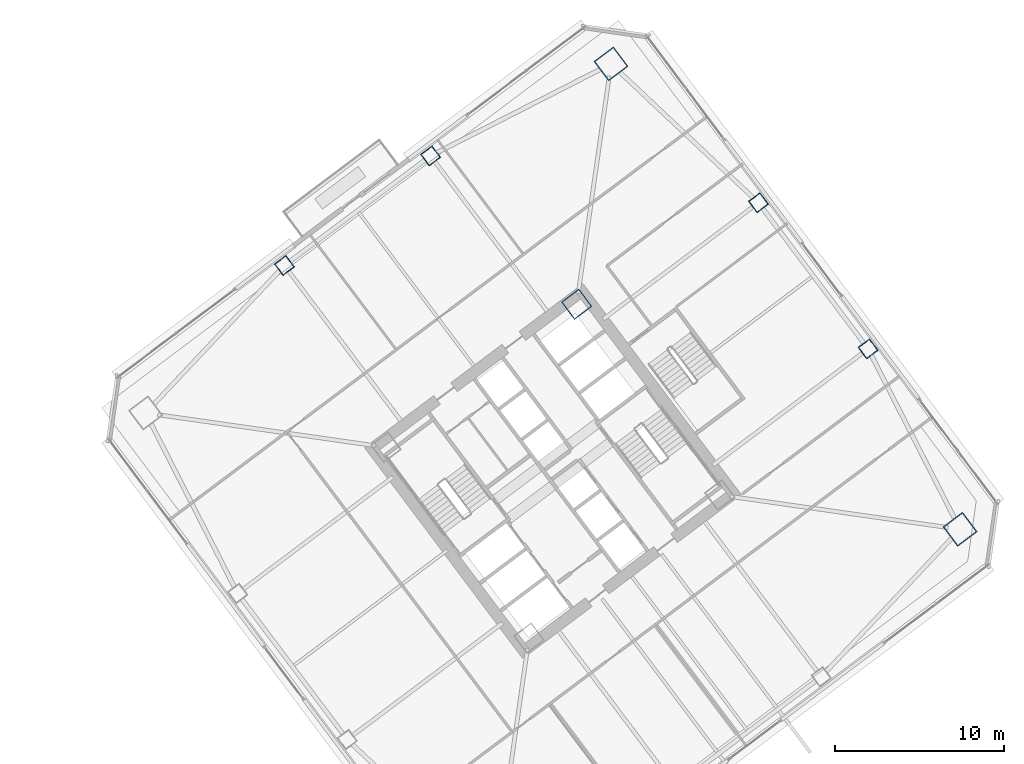
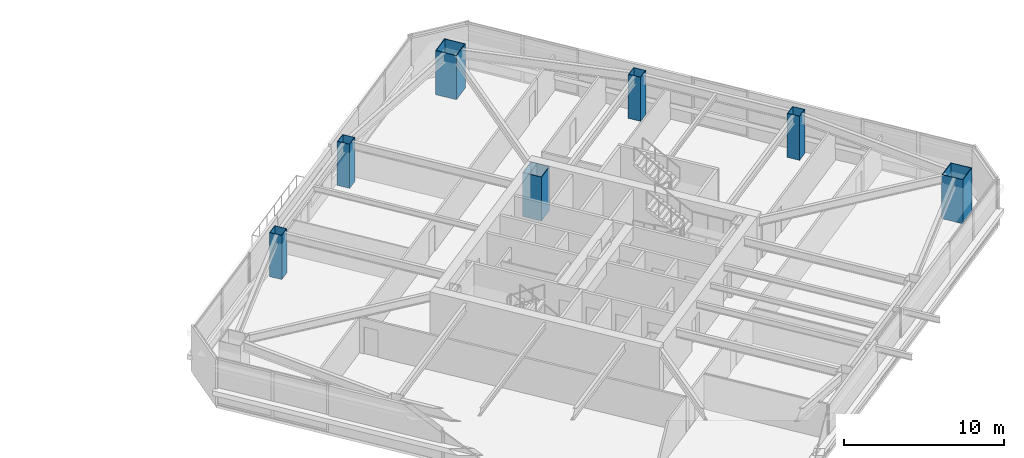
# One storey, part 2 of 44: 7 columns.
"""IFC4 building model written with IfcOpenShell, lengths in metres."""

from ifc_helpers import new_model, si_unit, direction, frame, origin, origin_2d, place, context, subcontext, project, spatial, hollow_rectangle, extrude, material, material_profile, profile_set, type_object, element, save


model = new_model("IFC4")

# Units and contexts
model_context = context("Model", 3, precision=1e-05, world=origin(), true_north=direction((0.0, 1.0)))
body_context = subcontext(model_context, "Body", "Model", "MODEL_VIEW")
ifc_project = project(units=[si_unit("LENGTHUNIT", "METRE"), si_unit("AREAUNIT", "SQUARE_METRE"), si_unit("VOLUMEUNIT", "CUBIC_METRE"), si_unit("PLANEANGLEUNIT", "RADIAN"), si_unit("MASSUNIT", "GRAM", prefix="KILO")], contexts=[model_context])

# Site, building, storey
site_placement = place(None, origin())
site = spatial("IfcSite", under=ifc_project, at=site_placement, CompositionType="ELEMENT")
building_placement = place(site_placement, origin())
building = spatial("IfcBuilding", under=site, at=building_placement, Name="Tashvorn Skyway Center", CompositionType="ELEMENT")
storey_placement = place(building_placement, frame((0.0, 0.0, 95.60009765625)))
storey = spatial("IfcBuildingStorey", under=building, at=storey_placement, Name="L25", CompositionType="ELEMENT", Elevation=95.60009765625)

# Columns
ifc_material = material(Name="Steel ASTM A572 Grade 50", Category="steel")
ifc_material_profile_1 = material_profile(ifc_material, hollow_rectangle(XDim=1.300048828125, YDim=1.300048828125, WallThickness=0.050048828125, at=origin_2d()), Name="BOX1300x1300x50")
ifc_profile_set_1 = profile_set([ifc_material_profile_1], Name="Steel ASTM A572 Grade 50")
column_type_1 = type_object("IfcColumnType", Name="COL-BOX1300x1300x50", PredefinedType="COLUMN", material=ifc_profile_set_1)
column_placement = place(storey_placement, frame((115.409912109375, 41.8701171875, 0.0), z_axis=(0.0, 0.0, 1.0), x_axis=(0.799999996291, 0.600000004945, 0.0)))
element("IfcColumn", 1, at=column_placement, inside=storey, type_object=column_type_1, Name="Tower 2 L25 Core Corner Column CC-NE", PredefinedType="COLUMN", context=body_context, shape_type="SweptSolid", body=[
    extrude(hollow_rectangle(XDim=1.300048828125, YDim=1.300048828125, WallThickness=0.050048828125, at=origin_2d()), origin(), (0.0, 0.0, 1.0), 3.349853515625),
])
ifc_material_profile_2 = material_profile(ifc_material, hollow_rectangle(XDim=1.449951171875, YDim=1.449951171875, WallThickness=0.054931640625, at=origin_2d()), Name="BOX1450x1450x55")
ifc_profile_set_2 = profile_set([ifc_material_profile_2], Name="Steel ASTM A572 Grade 50")
column_type_2 = type_object("IfcColumnType", Name="COL-BOX1450x1450x55", PredefinedType="COLUMN", material=ifc_profile_set_2)
for number, where, z_axis, x_axis, name in (
    (2, (138.080078125, 28.56005859375, 0.0), (0.0, 0.0, 1.0), (0.799999996291, 0.600000004945, 0.0), "Tower 2 L25 Mega-Column MC-SE"),
    (3, (117.43994140625, 56.080078125, 0.0), (0.0, 0.0, 1.0), (0.799999996291, 0.600000004945, 0.0), "Tower 2 L25 Mega-Column MC-NE"),
):
    element("IfcColumn", number, at=place(storey_placement, frame(where, z_axis=z_axis, x_axis=x_axis)), inside=storey, type_object=column_type_2, Name=name, PredefinedType="COLUMN", context=body_context, shape_type="SweptSolid", body=[
        extrude(hollow_rectangle(XDim=1.449951171875, YDim=1.449951171875, WallThickness=0.054931640625, at=origin_2d()), origin(), (0.0, 0.0, 1.0), 3.349853515625),
    ])
ifc_material_profile_3 = material_profile(ifc_material, hollow_rectangle(XDim=0.85009765625, YDim=0.85009765625, WallThickness=0.034912109375, at=origin_2d()), Name="BOX850x850x35")
ifc_profile_set_3 = profile_set([ifc_material_profile_3], Name="Steel ASTM A572 Grade 50")
column_type_3 = type_object("IfcColumnType", Name="COL-BOX850x850x35", PredefinedType="COLUMN", material=ifc_profile_set_3)
for number, where, z_axis, x_axis, name in (
    (4, (132.639892578125, 39.22998046875, 0.0), (0.0, 0.0, 1.0), (0.799999996291, 0.600000004945, 0.0), "Tower 2 L25 Perimeter Column FC-E1"),
    (5, (126.159912109375, 47.8701171875, 0.0), (0.0, 0.0, 1.0), (0.799999996291, 0.600000004945, 0.0), "Tower 2 L25 Perimeter Column FC-E2"),
    (6, (106.77001953125, 50.639892578125, 0.0), (0.0, 0.0, 1.0), (0.799999996291, 0.600000004945, 0.0), "Tower 2 L25 Perimeter Column FC-N1"),
    (7, (98.1298828125, 44.159912109375, 0.0), (0.0, 0.0, 1.0), (0.799999996291, 0.600000004945, 0.0), "Tower 2 L25 Perimeter Column FC-N2"),
):
    element("IfcColumn", number, at=place(storey_placement, frame(where, z_axis=z_axis, x_axis=x_axis)), inside=storey, type_object=column_type_3, Name=name, PredefinedType="COLUMN", context=body_context, shape_type="SweptSolid", body=[
        extrude(hollow_rectangle(XDim=0.85009765625, YDim=0.85009765625, WallThickness=0.034912109375, at=origin_2d()), origin(), (0.0, 0.0, 1.0), 3.349853515625),
    ])

save(model, "model.ifc")
